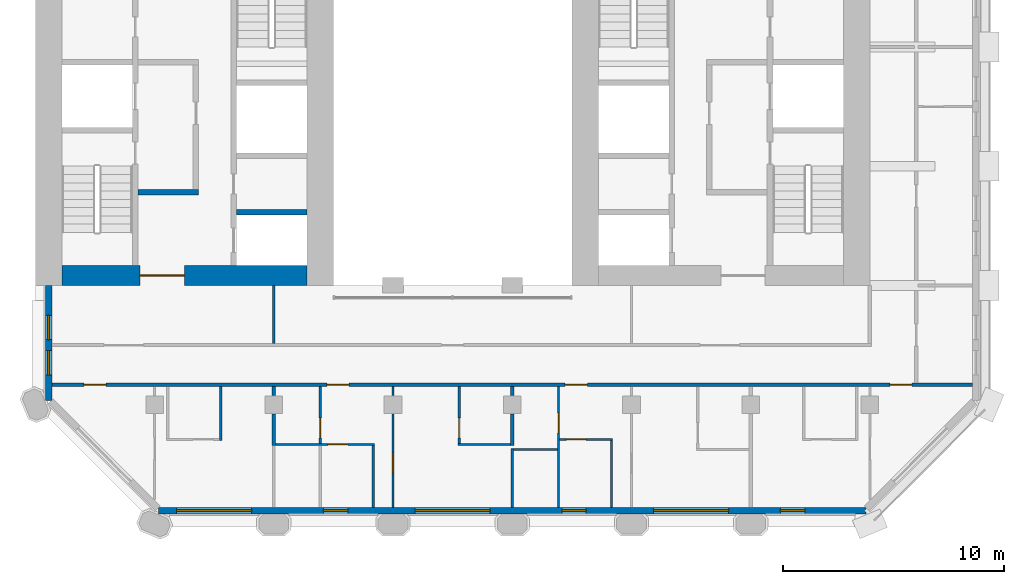
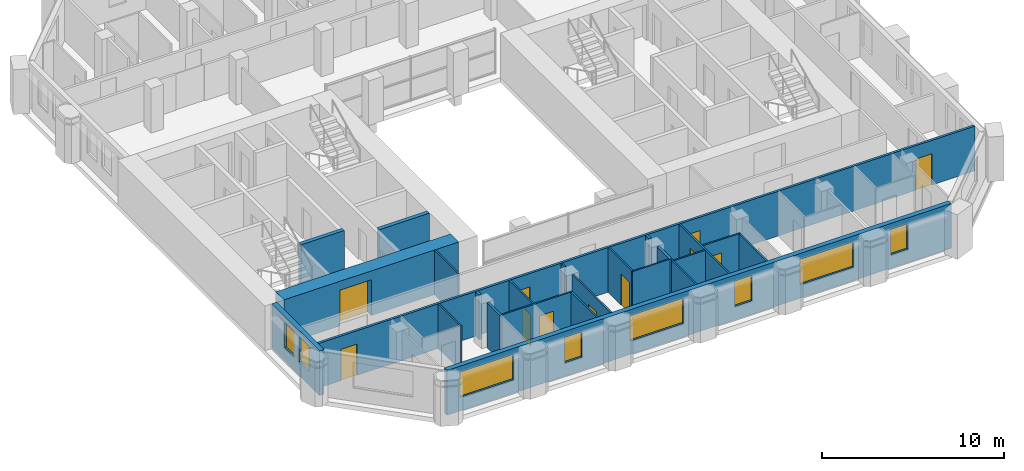
# One storey, part 4 of 12: 24 walls, 11 doors, 8 windows, 19 openings.
"""IFC4 building model written with IfcOpenShell, lengths in metres."""

import ifcopenshell
import ifcopenshell.guid

model = None  # the IFC model being written
_history = None  # IfcOwnerHistory: only IFC2X3 demands one
_inside = {}  # id of a spatial element -> (the spatial element, [elements in it])
_under = {}  # id of a project, library or spatial element -> (it, [spatial elements below it])
_declared = {}  # id of a project -> (the project, [libraries it declares])
_typed = {}  # id of a type object -> (the type object, [elements of that type])
_made_of = {}  # id of a material, layer set ... -> (it, [elements and type objects made of it])


def new_model(schema):
    """Start an empty IFC model of exactly this schema.

    Asked for "IFC4X3", IfcOpenShell would pick the latest addendum, in which some entities
    have other attributes; the version numbers below select the first issue.
    IFC2X3 requires an IfcOwnerHistory on every rooted entity: one is made here for all.
    """
    global model, _history
    if schema == "IFC4X3":
        model = ifcopenshell.file(schema_version=(4, 3, 0, 0))
    else:
        model = ifcopenshell.file(schema=schema)
    _inside.clear()
    _under.clear()
    _declared.clear()
    _typed.clear()
    _made_of.clear()
    _history = None
    if model.schema == "IFC2X3":
        org = make("IfcOrganization", Name="unknown")
        user = make(
            "IfcPersonAndOrganization",
            ThePerson=make("IfcPerson", FamilyName="unknown"),
            TheOrganization=org,
        )
        app = make(
            "IfcApplication",
            ApplicationDeveloper=org,
            Version="unknown",
            ApplicationFullName="unknown",
            ApplicationIdentifier="unknown",
        )
        _history = make(
            "IfcOwnerHistory",
            OwningUser=user,
            OwningApplication=app,
            ChangeAction="ADDED",
            CreationDate=0,
        )
    return model


def make(cls, **values):
    """One entity of the class cls with the attributes given. An attribute that is None is left unset."""
    return model.create_entity(
        cls, **{name: value for name, value in values.items() if value is not None}
    )


def rooted(cls, **values):
    """An entity with a GlobalId (a new one), such as an element, a storey or a relation."""
    return make(cls, GlobalId=ifcopenshell.guid.new(), OwnerHistory=_history, **values)


def si_unit(unit_type, name, prefix=None):
    """IfcSIUnit, for example si_unit("LENGTHUNIT", "METRE", prefix="MILLI")."""
    return make("IfcSIUnit", UnitType=unit_type, Prefix=prefix, Name=name)


def assignment(units):
    """IfcUnitAssignment: the units of a project."""
    return None if units is None else make("IfcUnitAssignment", Units=units)


def point(xyz):
    """IfcCartesianPoint."""
    return None if xyz is None else make("IfcCartesianPoint", Coordinates=xyz)


def direction(xyz):
    """IfcDirection."""
    return None if xyz is None else make("IfcDirection", DirectionRatios=xyz)


def frame(location, z_axis=None, x_axis=None):
    """IfcAxis2Placement3D, a coordinate frame: its origin and axes. An axis left out is left unset."""
    return make(
        "IfcAxis2Placement3D",
        Location=point(location),
        Axis=direction(z_axis),
        RefDirection=direction(x_axis),
    )


def frame_2d(location, x_axis=None):
    """IfcAxis2Placement2D, a coordinate frame in the plane: its origin and x axis."""
    return make(
        "IfcAxis2Placement2D", Location=point(location), RefDirection=direction(x_axis)
    )


def origin():
    """The frame at (0, 0, 0) with its axes left unset."""
    return frame((0.0, 0.0, 0.0))


def place(relative_to, where):
    """IfcLocalPlacement: puts the frame where relative to a parent placement (None: the world)."""
    return make(
        "IfcLocalPlacement", PlacementRelTo=relative_to, RelativePlacement=where
    )


def context(
    kind, dimensions, precision=None, world=None, true_north=None, identifier=None
):
    """IfcGeometricRepresentationContext, for example the 3D "Model" context."""
    return make(
        "IfcGeometricRepresentationContext",
        ContextIdentifier=identifier,
        ContextType=kind,
        CoordinateSpaceDimension=dimensions,
        Precision=precision,
        WorldCoordinateSystem=world,
        TrueNorth=true_north,
    )


def subcontext(parent, identifier, kind, view, scale=None):
    """IfcGeometricRepresentationSubContext, for example "Body" below "Model"."""
    return make(
        "IfcGeometricRepresentationSubContext",
        ContextIdentifier=identifier,
        ContextType=kind,
        ParentContext=parent,
        TargetScale=scale,
        TargetView=view,
    )


def project(units=None, contexts=None):
    """IfcProject with its units and contexts."""
    return rooted(
        "IfcProject",
        Name="project",
        RepresentationContexts=contexts,
        UnitsInContext=assignment(units),
    )


def spatial(cls, under=None, at=None, **own):
    """A site, building, storey or space (cls), placed at a placement, below another one or the project."""
    s = rooted(cls, ObjectPlacement=at, **own)
    if under is not None:
        _under.setdefault(under.id(), (under, []))[1].append(s)
    return s


def profile(cls, at=None, kind="AREA", **sizes):
    """A parametric profile (cls). Its sizes go by their IFC names, for example OverallWidth=200.0."""
    return make(cls, ProfileType=kind, Position=at, **sizes)


def rectangle(**sizes):
    """IfcRectangleProfileDef."""
    return profile("IfcRectangleProfileDef", **sizes)


def extrude(swept, where, along, depth):
    """IfcExtrudedAreaSolid: the profile swept, set in the frame where, extruded along a direction by depth."""
    return make(
        "IfcExtrudedAreaSolid",
        SweptArea=swept,
        Position=where,
        ExtrudedDirection=direction(along),
        Depth=depth,
    )


def shape(context_of_items, identifier, shape_type, items):
    """IfcShapeRepresentation: the items that make up one representation, for example the "Body"."""
    return make(
        "IfcShapeRepresentation",
        ContextOfItems=context_of_items,
        RepresentationIdentifier=identifier,
        RepresentationType=shape_type,
        Items=items,
    )


def material(Name=None, Category=None):
    """IfcMaterial."""
    return make("IfcMaterial", Name=Name, Category=Category)


def layer(
    of_material, thickness, ventilated=None, Name=None, Category=None, Priority=None
):
    """IfcMaterialLayer: one layer of a wall or slab, of a material (None: an air gap)."""
    return make(
        "IfcMaterialLayer",
        Material=of_material,
        LayerThickness=thickness,
        IsVentilated=ventilated,
        Name=Name,
        Category=Category,
        Priority=Priority,
    )


def layer_set(layers, Name=None):
    """IfcMaterialLayerSet."""
    return make("IfcMaterialLayerSet", MaterialLayers=layers, LayerSetName=Name)


def made_of(thing, what):
    """Note that an element or type object is made of a material, layer set ...; save() writes the relation."""
    if what is not None:
        _made_of.setdefault(what.id(), (what, []))[1].append(thing)
    return thing


def type_object(cls, material=None, **own):
    """A type object (cls), such as IfcWallType, which elements share."""
    return made_of(rooted(cls, **own), material)


def element(
    cls,
    number,
    at=None,
    inside=None,
    cuts=None,
    type_object=None,
    material=None,
    context=None,
    identifier="Body",
    shape_type=None,
    held_by="IfcProductDefinitionShape",
    body=None,
    shapes=None,
    **own,
):
    """One element of the class cls, such as IfcWall. Its Tag is "e" and its number.

    at: its placement. inside: the storey or other place that contains it. cuts: it is an
    opening in that element (IfcRelVoidsElement). A single representation is given by context,
    identifier, shape_type and body (its items); several are given by shapes. held_by: the class
    of the entity that holds the representations. save() writes the other relations.
    """
    e = rooted(cls, Tag="e%d" % number, ObjectPlacement=at, **own)
    if body is not None:
        shapes = [shape(context, identifier, shape_type, body)]
    if shapes is not None:
        e.Representation = make(held_by, Representations=shapes)
    if inside is not None:
        _inside.setdefault(inside.id(), (inside, []))[1].append(e)
    if cuts is not None:
        rooted(
            "IfcRelVoidsElement", RelatingBuildingElement=cuts, RelatedOpeningElement=e
        )
    if type_object is not None:
        _typed.setdefault(type_object.id(), (type_object, []))[1].append(e)
    return made_of(e, material)


def fill(opening, filler):
    """IfcRelFillsElement: the door or window that sits in an opening."""
    return rooted(
        "IfcRelFillsElement",
        RelatingOpeningElement=opening,
        RelatedBuildingElement=filler,
    )


def aggregate(whole, parts):
    """IfcRelAggregates: a whole, such as a stair, and the parts it consists of."""
    return rooted("IfcRelAggregates", RelatingObject=whole, RelatedObjects=parts)


def save(model, path):
    """Write the relations noted so far, then the file.

    IfcRelAggregates (storeys below a building ...), IfcRelContainedInSpatialStructure (elements
    in a storey), IfcRelDefinesByType, IfcRelAssociatesMaterial and IfcRelDeclares: one each for
    every whole, place, type object, material and project.
    """
    for whole, parts in _under.values():
        aggregate(whole, parts)
    for where, things in _inside.values():
        rooted(
            "IfcRelContainedInSpatialStructure",
            RelatedElements=things,
            RelatingStructure=where,
        )
    for kind, things in _typed.values():
        rooted("IfcRelDefinesByType", RelatedObjects=things, RelatingType=kind)
    for what, things in _made_of.values():
        rooted("IfcRelAssociatesMaterial", RelatedObjects=things, RelatingMaterial=what)
    for by, libraries in _declared.values():
        rooted("IfcRelDeclares", RelatingContext=by, RelatedDefinitions=libraries)
    model.write(path)


model = new_model("IFC4")

# Units and contexts
model_context = context("Model", 3, precision=1e-05, world=origin(), true_north=direction((0.0, 1.0)))
body_context = subcontext(model_context, "Body", "Model", "MODEL_VIEW")
ifc_project = project(units=[si_unit("LENGTHUNIT", "METRE"), si_unit("AREAUNIT", "SQUARE_METRE"), si_unit("VOLUMEUNIT", "CUBIC_METRE"), si_unit("PLANEANGLEUNIT", "RADIAN"), si_unit("MASSUNIT", "GRAM", prefix="KILO")], contexts=[model_context])

# Site, building, storey
site_placement = place(None, origin())
site = spatial("IfcSite", under=ifc_project, at=site_placement, CompositionType="ELEMENT")
building_placement = place(site_placement, origin())
building = spatial("IfcBuilding", under=site, at=building_placement, Name="Tabaq Tower and Sports Hall", CompositionType="ELEMENT")
storey_placement = place(building_placement, frame((0.0, 0.0, 187.300048828125)))
storey = spatial("IfcBuildingStorey", under=building, at=storey_placement, Name="L45", CompositionType="ELEMENT", Elevation=187.300048828125)

# Wall, opening, door
ifc_material_1 = material(Name="Concrete C50/60", Category="concrete")
ifc_layer_1 = layer(ifc_material_1, 0.89990234375)
ifc_layer_set_1 = layer_set([ifc_layer_1], Name="Core wall 900 Concrete C50/60")
wall_type_1 = type_object("IfcWallType", Name="Core wall 900 Concrete C50/60", PredefinedType="SOLIDWALL", material=ifc_layer_set_1)
wall_1_placement = place(storey_placement, frame((17.699951171875, 16.64990234375, 0.0), z_axis=(0.0, 0.0, 1.0), x_axis=(-1.0, 0.0, 0.0)))
wall_1 = element("IfcWall", 1, at=wall_1_placement, inside=storey, type_object=wall_type_1, Name="Core wall W L45", PredefinedType="SOLIDWALL", context=body_context, shape_type="SweptSolid", body=[
    extrude(rectangle(XDim=11.099853515625, YDim=0.89990234375, at=frame_2d((5.5498046875, 0.0))), origin(), (0.0, 0.0, 1.0), 3.0),
])
opening_1_placement = place(wall_1_placement, frame((5.550048828125, 0.0, 0.0)))
opening_1 = element("IfcOpeningElement", 2, at=opening_1_placement, cuts=wall_1, Name="Opening PD-WL45-01", PredefinedType="OPENING", context=body_context, shape_type="SweptSolid", body=[
    extrude(rectangle(XDim=2.0, YDim=2.39990234375, at=frame_2d((1.0, 1.199951171875))), frame((0.0, 0.449951171875, 0.0), z_axis=(0.0, -1.0, 0.0), x_axis=(1.0, 0.0, 0.0)), (0.0, 0.0, 1.0), 0.89990234375),
])
ifc_material_2 = material(Name="Steel fire door", Category="steel")
door_type_1 = type_object("IfcDoorType", Name="Core entrance door 2000", OperationType="DOUBLE_DOOR_SINGLE_SWING", PredefinedType="DOOR", material=ifc_material_2)
door_1_placement = place(opening_1_placement, origin())
door_1 = element("IfcDoor", 3, at=door_1_placement, inside=storey, type_object=door_type_1, Name="Core entrance south W L45", OperationType="DOUBLE_DOOR_SINGLE_SWING", OverallHeight=2.39990234375, OverallWidth=2.0, PredefinedType="DOOR", context=body_context, shape_type="SweptSolid", body=[
    extrude(rectangle(XDim=2.0, YDim=2.39990234375, at=frame_2d((1.0, 1.199951171875))), frame((0.0, 0.02490234375, 0.0), z_axis=(0.0, -1.0, 0.0), x_axis=(1.0, 0.0, 0.0)), (0.0, 0.0, 1.0), 0.050048828125),
])
fill(opening_1, door_1)

# Walls
ifc_material_3 = material(Name="Gypsum board on steel studs", Category="steel")
ifc_layer_2 = layer(ifc_material_3, 0.10009765625)
ifc_layer_set_2 = layer_set([ifc_layer_2], Name="Partition 100 Gypsum board")
wall_type_2 = type_object("IfcWallType", Name="Partition 100 Gypsum board", PredefinedType="PARTITIONING", material=ifc_layer_set_2)
wall_2_placement = place(storey_placement, frame((13.800048828125, 11.625, 0.0), z_axis=(0.0, 0.0, 1.0), x_axis=(0.0, -1.0, 0.0)))
element("IfcWall", 4, at=wall_2_placement, inside=storey, type_object=wall_type_2, Name="Partition wall L45", PredefinedType="PARTITIONING", context=body_context, shape_type="SweptSolid", body=[
    extrude(rectangle(XDim=2.449951171875, YDim=0.10009765625, at=frame_2d((1.22509765625, 0.0))), origin(), (0.0, 0.0, 1.0), 3.0),
])
wall_3_placement = place(storey_placement, frame((27.0, 6.15087890625, 0.0), z_axis=(0.0, 0.0, 1.0), x_axis=(0.0, 1.0, 0.0)))
element("IfcWall", 5, at=wall_3_placement, inside=storey, type_object=wall_type_2, Name="Partition wall L45", PredefinedType="PARTITIONING", context=body_context, shape_type="SweptSolid", body=[
    extrude(rectangle(XDim=2.674072265625, YDim=0.10009765625, at=frame_2d((1.3369140625, 0.0))), origin(), (0.0, 0.0, 1.0), 3.0),
])
wall_4_placement = place(storey_placement, frame((26.925048828125, 9.0, 0.0), z_axis=(0.0, 0.0, 1.0), x_axis=(-1.0, 0.0, 0.0)))
element("IfcWall", 6, at=wall_4_placement, inside=storey, type_object=wall_type_2, Name="Partition wall L45", PredefinedType="PARTITIONING", context=body_context, shape_type="SweptSolid", body=[
    extrude(rectangle(XDim=2.375, YDim=0.10009765625, at=frame_2d((1.1875, 0.0))), origin(), (0.0, 0.0, 1.0), 3.0),
])

# Wall, opening, door
wall_5_placement = place(storey_placement, frame((24.60009765625, 9.050048828125, 0.0), z_axis=(0.0, 0.0, 1.0), x_axis=(0.0, 1.0, 0.0)))
wall_5 = element("IfcWall", 7, at=wall_5_placement, inside=storey, type_object=wall_type_2, Name="Partition wall L45", PredefinedType="PARTITIONING", context=body_context, shape_type="SweptSolid", body=[
    extrude(rectangle(XDim=2.574951171875, YDim=0.10009765625, at=frame_2d((1.28759765625, 0.0))), origin(), (0.0, 0.0, 1.0), 3.0),
])
opening_2_placement = place(wall_5_placement, frame((0.25, 0.0, 0.0)))
opening_2 = element("IfcOpeningElement", 8, at=opening_2_placement, cuts=wall_5, Name="Opening L45-013", PredefinedType="OPENING", context=body_context, shape_type="SweptSolid", body=[
    extrude(rectangle(XDim=0.89990234375, YDim=2.10009765625, at=frame_2d((0.449951171875, 1.050048828125))), frame((0.0, 0.050048828125, 0.0), z_axis=(0.0, -1.0, 0.0), x_axis=(1.0, 0.0, 0.0)), (0.0, 0.0, 1.0), 0.10009765625),
])
ifc_material_4 = material(Name="Timber leaf in steel frame", Category="steel")
door_type_2 = type_object("IfcDoorType", Name="Internal door 900 left hand", OperationType="SINGLE_SWING_LEFT", PredefinedType="DOOR", material=ifc_material_4)
door_2_placement = place(opening_2_placement, origin())
door_2 = element("IfcDoor", 9, at=door_2_placement, inside=storey, type_object=door_type_2, Name="Internal door L45-013", OperationType="SINGLE_SWING_LEFT", OverallHeight=2.10009765625, OverallWidth=0.89990234375, PredefinedType="DOOR", context=body_context, shape_type="SweptSolid", body=[
    extrude(rectangle(XDim=0.89990234375, YDim=2.10009765625, at=frame_2d((0.449951171875, 1.050048828125))), frame((0.0, 0.02490234375, 0.0), z_axis=(0.0, -1.0, 0.0), x_axis=(1.0, 0.0, 0.0)), (0.0, 0.0, 1.0), 0.050048828125),
])
fill(opening_2, door_2)

# Wall
wall_6_placement = place(storey_placement, frame((21.60009765625, 11.625, 0.0), z_axis=(0.0, 0.0, 1.0), x_axis=(0.0, -1.0, 0.0)))
element("IfcWall", 10, at=wall_6_placement, inside=storey, type_object=wall_type_2, Name="Partition wall L45", PredefinedType="PARTITIONING", context=body_context, shape_type="SweptSolid", body=[
    extrude(rectangle(XDim=0.405029296875, YDim=0.10009765625, at=frame_2d((0.20263671875, 0.0))), origin(), (0.0, 0.0, 1.0), 3.0),
])

# Wall, opening, door
wall_7_placement = place(storey_placement, frame((21.60009765625, 10.3798828125, 0.0), z_axis=(0.0, 0.0, 1.0), x_axis=(0.0, -1.0, 0.0)))
wall_7 = element("IfcWall", 11, at=wall_7_placement, inside=storey, type_object=wall_type_2, Name="Partition wall L45", PredefinedType="PARTITIONING", context=body_context, shape_type="SweptSolid", body=[
    extrude(rectangle(XDim=4.22900390625, YDim=0.10009765625, at=frame_2d((2.114501953125, 0.0))), origin(), (0.0, 0.0, 1.0), 3.0),
])
opening_3_placement = place(wall_7_placement, frame((1.780029296875, 0.0, 0.0)))
opening_3 = element("IfcOpeningElement", 12, at=opening_3_placement, cuts=wall_7, Name="Opening L45-035", PredefinedType="OPENING", context=body_context, shape_type="SweptSolid", body=[
    extrude(rectangle(XDim=0.89990234375, YDim=2.10009765625, at=frame_2d((0.449951171875, 1.050048828125))), frame((0.0, 0.050048828125, 0.0), z_axis=(0.0, -1.0, 0.0), x_axis=(1.0, 0.0, 0.0)), (0.0, 0.0, 1.0), 0.10009765625),
])
ifc_material_5 = material(Name="Timber leaf in steel frame", Category="steel")
door_type_3 = type_object("IfcDoorType", Name="Internal door 900 right hand", OperationType="SINGLE_SWING_RIGHT", PredefinedType="DOOR", material=ifc_material_5)
door_3_placement = place(opening_3_placement, origin())
door_3 = element("IfcDoor", 13, at=door_3_placement, inside=storey, type_object=door_type_3, Name="Internal door L45-035", OperationType="SINGLE_SWING_RIGHT", OverallHeight=2.10009765625, OverallWidth=0.89990234375, PredefinedType="DOOR", context=body_context, shape_type="SweptSolid", body=[
    extrude(rectangle(XDim=0.89990234375, YDim=2.10009765625, at=frame_2d((0.449951171875, 1.050048828125))), frame((0.0, 0.02490234375, 0.0), z_axis=(0.0, -1.0, 0.0), x_axis=(1.0, 0.0, 0.0)), (0.0, 0.0, 1.0), 0.050048828125),
])
fill(opening_3, door_3)

wall_8_placement = place(storey_placement, frame((18.300048828125, 9.050048828125, 0.0), z_axis=(0.0, 0.0, 1.0), x_axis=(0.0, 1.0, 0.0)))
wall_8 = element("IfcWall", 14, at=wall_8_placement, inside=storey, type_object=wall_type_2, Name="Partition wall L45", PredefinedType="PARTITIONING", context=body_context, shape_type="SweptSolid", body=[
    extrude(rectangle(XDim=2.574951171875, YDim=0.10009765625, at=frame_2d((1.28759765625, 0.0))), origin(), (0.0, 0.0, 1.0), 3.0),
])
opening_4_placement = place(wall_8_placement, frame((0.25, 0.0, 0.0)))
opening_4 = element("IfcOpeningElement", 15, at=opening_4_placement, cuts=wall_8, Name="Opening L45-014", PredefinedType="OPENING", context=body_context, shape_type="SweptSolid", body=[
    extrude(rectangle(XDim=0.89990234375, YDim=2.10009765625, at=frame_2d((0.449951171875, 1.050048828125))), frame((0.0, 0.050048828125, 0.0), z_axis=(0.0, -1.0, 0.0), x_axis=(1.0, 0.0, 0.0)), (0.0, 0.0, 1.0), 0.10009765625),
])
door_4_placement = place(opening_4_placement, origin())
door_4 = element("IfcDoor", 16, at=door_4_placement, inside=storey, type_object=door_type_3, Name="Internal door L45-014", OperationType="SINGLE_SWING_RIGHT", OverallHeight=2.10009765625, OverallWidth=0.89990234375, PredefinedType="DOOR", context=body_context, shape_type="SweptSolid", body=[
    extrude(rectangle(XDim=0.89990234375, YDim=2.10009765625, at=frame_2d((0.449951171875, 1.050048828125))), frame((0.0, 0.02490234375, 0.0), z_axis=(0.0, -1.0, 0.0), x_axis=(1.0, 0.0, 0.0)), (0.0, 0.0, 1.0), 0.050048828125),
])
fill(opening_4, door_4)

wall_9_placement = place(storey_placement, frame((16.27490234375, 9.0, 0.0), z_axis=(0.0, 0.0, 1.0), x_axis=(1.0, 0.0, 0.0)))
wall_9 = element("IfcWall", 17, at=wall_9_placement, inside=storey, type_object=wall_type_2, Name="Partition wall L45", PredefinedType="PARTITIONING", context=body_context, shape_type="SweptSolid", body=[
    extrude(rectangle(XDim=4.47509765625, YDim=0.10009765625, at=frame_2d((2.237548828125, 0.0))), origin(), (0.0, 0.0, 1.0), 3.0),
])
opening_5_placement = place(wall_9_placement, frame((2.375, 0.0, 0.0)))
opening_5 = element("IfcOpeningElement", 18, at=opening_5_placement, cuts=wall_9, Name="Opening L45-015", PredefinedType="OPENING", context=body_context, shape_type="SweptSolid", body=[
    extrude(rectangle(XDim=0.89990234375, YDim=2.10009765625, at=frame_2d((0.449951171875, 1.050048828125))), frame((0.0, 0.050048828125, 0.0), z_axis=(0.0, -1.0, 0.0), x_axis=(1.0, 0.0, 0.0)), (0.0, 0.0, 1.0), 0.10009765625),
])
door_5_placement = place(opening_5_placement, origin())
door_5 = element("IfcDoor", 19, at=door_5_placement, inside=storey, type_object=door_type_2, Name="Internal door L45-015", OperationType="SINGLE_SWING_LEFT", OverallHeight=2.10009765625, OverallWidth=0.89990234375, PredefinedType="DOOR", context=body_context, shape_type="SweptSolid", body=[
    extrude(rectangle(XDim=0.89990234375, YDim=2.10009765625, at=frame_2d((0.449951171875, 1.050048828125))), frame((0.0, 0.02490234375, 0.0), z_axis=(0.0, -1.0, 0.0), x_axis=(1.0, 0.0, 0.0)), (0.0, 0.0, 1.0), 0.050048828125),
])
fill(opening_5, door_5)

# Walls
wall_10_placement = place(storey_placement, frame((20.699951171875, 8.949951171875, 0.0), z_axis=(0.0, 0.0, 1.0), x_axis=(0.0, -1.0, 0.0)))
element("IfcWall", 20, at=wall_10_placement, inside=storey, type_object=wall_type_2, Name="Partition wall L45", PredefinedType="PARTITIONING", context=body_context, shape_type="SweptSolid", body=[
    extrude(rectangle(XDim=2.799072265625, YDim=0.10009765625, at=frame_2d((1.3994140625, 0.0))), origin(), (0.0, 0.0, 1.0), 3.0),
])
wall_11_placement = place(storey_placement, frame((27.050048828125, 8.77490234375, 0.0), z_axis=(0.0, 0.0, 1.0), x_axis=(1.0, 0.0, 0.0)))
element("IfcWall", 21, at=wall_11_placement, inside=storey, type_object=wall_type_2, Name="Partition wall L45", PredefinedType="PARTITIONING", context=body_context, shape_type="SweptSolid", body=[
    extrude(rectangle(XDim=2.0, YDim=0.10009765625, at=frame_2d((1.0, 0.0))), origin(), (0.0, 0.0, 1.0), 3.0),
])

# Wall, opening, door
wall_12_placement = place(storey_placement, frame((29.10009765625, 6.15087890625, 0.0), z_axis=(0.0, 0.0, 1.0), x_axis=(0.0, 1.0, 0.0)))
wall_12 = element("IfcWall", 22, at=wall_12_placement, inside=storey, type_object=wall_type_2, Name="Partition wall L45", PredefinedType="PARTITIONING", context=body_context, shape_type="SweptSolid", body=[
    extrude(rectangle(XDim=5.47412109375, YDim=0.10009765625, at=frame_2d((2.737060546875, 0.0))), origin(), (0.0, 0.0, 1.0), 3.0),
])
opening_6_placement = place(wall_12_placement, frame((3.3740234375, 0.0, 0.0)))
opening_6 = element("IfcOpeningElement", 23, at=opening_6_placement, cuts=wall_12, Name="Opening L45-017", PredefinedType="OPENING", context=body_context, shape_type="SweptSolid", body=[
    extrude(rectangle(XDim=0.89990234375, YDim=2.10009765625, at=frame_2d((0.449951171875, 1.050048828125))), frame((0.0, 0.050048828125, 0.0), z_axis=(0.0, -1.0, 0.0), x_axis=(1.0, 0.0, 0.0)), (0.0, 0.0, 1.0), 0.10009765625),
])
door_6_placement = place(opening_6_placement, origin())
door_6 = element("IfcDoor", 24, at=door_6_placement, inside=storey, type_object=door_type_2, Name="Internal door L45-017", OperationType="SINGLE_SWING_LEFT", OverallHeight=2.10009765625, OverallWidth=0.89990234375, PredefinedType="DOOR", context=body_context, shape_type="SweptSolid", body=[
    extrude(rectangle(XDim=0.89990234375, YDim=2.10009765625, at=frame_2d((0.449951171875, 1.050048828125))), frame((0.0, 0.02490234375, 0.0), z_axis=(0.0, -1.0, 0.0), x_axis=(1.0, 0.0, 0.0)), (0.0, 0.0, 1.0), 0.050048828125),
])
fill(opening_6, door_6)

wall_13_placement = place(storey_placement, frame((29.14990234375, 9.22509765625, 0.0), z_axis=(0.0, 0.0, 1.0), x_axis=(1.0, 0.0, 0.0)))
wall_13 = element("IfcWall", 25, at=wall_13_placement, inside=storey, type_object=wall_type_2, Name="Partition wall L45", PredefinedType="PARTITIONING", context=body_context, shape_type="SweptSolid", body=[
    extrude(rectangle(XDim=2.400146484375, YDim=0.10009765625, at=frame_2d((1.2001953125, 0.0))), origin(), (0.0, 0.0, 1.0), 3.0),
])
opening_7_placement = place(wall_13_placement, frame((0.300048828125, 0.0, 0.0)))
opening_7 = element("IfcOpeningElement", 26, at=opening_7_placement, cuts=wall_13, Name="Opening L45-018", PredefinedType="OPENING", context=body_context, shape_type="SweptSolid", body=[
    extrude(rectangle(XDim=0.89990234375, YDim=2.10009765625, at=frame_2d((0.449951171875, 1.050048828125))), frame((0.0, 0.050048828125, 0.0), z_axis=(0.0, -1.0, 0.0), x_axis=(1.0, 0.0, 0.0)), (0.0, 0.0, 1.0), 0.10009765625),
])
door_7_placement = place(opening_7_placement, origin())
door_7 = element("IfcDoor", 27, at=door_7_placement, inside=storey, type_object=door_type_3, Name="Internal door L45-018", OperationType="SINGLE_SWING_RIGHT", OverallHeight=2.10009765625, OverallWidth=0.89990234375, PredefinedType="DOOR", context=body_context, shape_type="SweptSolid", body=[
    extrude(rectangle(XDim=0.89990234375, YDim=2.10009765625, at=frame_2d((0.449951171875, 1.050048828125))), frame((0.0, 0.02490234375, 0.0), z_axis=(0.0, -1.0, 0.0), x_axis=(1.0, 0.0, 0.0)), (0.0, 0.0, 1.0), 0.050048828125),
])
fill(opening_7, door_7)

# Walls
wall_14_placement = place(storey_placement, frame((31.5, 9.175048828125, 0.0), z_axis=(0.0, 0.0, 1.0), x_axis=(0.0, -1.0, 0.0)))
element("IfcWall", 28, at=wall_14_placement, inside=storey, type_object=wall_type_2, Name="Partition wall L45", PredefinedType="PARTITIONING", context=body_context, shape_type="SweptSolid", body=[
    extrude(rectangle(XDim=3.024169921875, YDim=0.10009765625, at=frame_2d((1.51220703125, 0.0))), origin(), (0.0, 0.0, 1.0), 3.0),
])
wall_15_placement = place(storey_placement, frame((16.199951171875, 16.199951171875, 0.0), z_axis=(0.0, 0.0, 1.0), x_axis=(0.0, -1.0, 0.0)))
element("IfcWall", 29, at=wall_15_placement, inside=storey, type_object=wall_type_2, Name="Partition wall L45", PredefinedType="PARTITIONING", context=body_context, shape_type="SweptSolid", body=[
    extrude(rectangle(XDim=2.625, YDim=0.10009765625, at=frame_2d((1.3125, 0.0))), origin(), (0.0, 0.0, 1.0), 3.0),
])
ifc_material_6 = material(Name="Blockwork", Category="masonry")
ifc_layer_3 = layer(ifc_material_6, 0.14990234375)
ifc_layer_set_3 = layer_set([ifc_layer_3], Name="Separating wall 150 Blockwork")
wall_type_3 = type_object("IfcWallType", Name="Separating wall 150 Blockwork", PredefinedType="PARTITIONING", material=ifc_layer_set_3)
wall_16_placement = place(storey_placement, frame((16.199951171875, 8.949951171875, 0.0), z_axis=(0.0, 0.0, 1.0), x_axis=(0.0, 1.0, 0.0)))
element("IfcWall", 30, at=wall_16_placement, inside=storey, type_object=wall_type_3, Name="Separating wall L45", PredefinedType="PARTITIONING", context=body_context, shape_type="SweptSolid", body=[
    extrude(rectangle(XDim=1.429931640625, YDim=0.14990234375, at=frame_2d((0.71484375, 0.0))), origin(), (0.0, 0.0, 1.0), 3.0),
])
wall_17_placement = place(storey_placement, frame((16.199951171875, 11.219970703125, 0.0), z_axis=(0.0, 0.0, 1.0), x_axis=(0.0, 1.0, 0.0)))
element("IfcWall", 31, at=wall_17_placement, inside=storey, type_object=wall_type_3, Name="Separating wall L45", PredefinedType="PARTITIONING", context=body_context, shape_type="SweptSolid", body=[
    extrude(rectangle(XDim=0.405029296875, YDim=0.14990234375, at=frame_2d((0.20263671875, 0.0))), origin(), (0.0, 0.0, 1.0), 3.0),
])
wall_18_placement = place(storey_placement, frame((27.0, 8.949951171875, 0.0), z_axis=(0.0, 0.0, 1.0), x_axis=(0.0, 1.0, 0.0)))
element("IfcWall", 32, at=wall_18_placement, inside=storey, type_object=wall_type_3, Name="Separating wall L45", PredefinedType="PARTITIONING", context=body_context, shape_type="SweptSolid", body=[
    extrude(rectangle(XDim=1.429931640625, YDim=0.14990234375, at=frame_2d((0.71484375, 0.0))), origin(), (0.0, 0.0, 1.0), 3.0),
])
wall_19_placement = place(storey_placement, frame((27.0, 11.219970703125, 0.0), z_axis=(0.0, 0.0, 1.0), x_axis=(0.0, 1.0, 0.0)))
element("IfcWall", 33, at=wall_19_placement, inside=storey, type_object=wall_type_3, Name="Separating wall L45", PredefinedType="PARTITIONING", context=body_context, shape_type="SweptSolid", body=[
    extrude(rectangle(XDim=0.405029296875, YDim=0.14990234375, at=frame_2d((0.20263671875, 0.0))), origin(), (0.0, 0.0, 1.0), 3.0),
])

# Wall, openings, doors
wall_20_placement = place(storey_placement, frame((6.15087890625, 11.699951171875, 0.0), z_axis=(0.0, 0.0, 1.0), x_axis=(1.0, 0.0, 0.0)))
wall_20 = element("IfcWall", 34, at=wall_20_placement, inside=storey, type_object=wall_type_3, Name="Separating wall L45", PredefinedType="PARTITIONING", context=body_context, shape_type="SweptSolid", body=[
    extrude(rectangle(XDim=41.6982421875, YDim=0.14990234375, at=frame_2d((20.84912109375, 0.0))), origin(), (0.0, 0.0, 1.0), 3.0),
])
opening_8_placement = place(wall_20_placement, frame((1.448974609375, 0.0, 0.0)))
opening_8 = element("IfcOpeningElement", 35, at=opening_8_placement, cuts=wall_20, Name="Opening L45-034", PredefinedType="OPENING", context=body_context, shape_type="SweptSolid", body=[
    extrude(rectangle(XDim=1.0, YDim=2.10009765625, at=frame_2d((0.5, 1.050048828125))), frame((0.0, 0.074951171875, 0.0), z_axis=(0.0, -1.0, 0.0), x_axis=(1.0, 0.0, 0.0)), (0.0, 0.0, 1.0), 0.14990234375),
])
opening_9_placement = place(wall_20_placement, frame((37.9541015625, 0.0, 0.0)))
opening_9 = element("IfcOpeningElement", 36, at=opening_9_placement, cuts=wall_20, Name="Opening L45-038", PredefinedType="OPENING", context=body_context, shape_type="SweptSolid", body=[
    extrude(rectangle(XDim=1.0, YDim=2.10009765625, at=frame_2d((0.5, 1.050048828125))), frame((0.0, 0.074951171875, 0.0), z_axis=(0.0, -1.0, 0.0), x_axis=(1.0, 0.0, 0.0)), (0.0, 0.0, 1.0), 0.14990234375),
])
opening_10_placement = place(wall_20_placement, frame((12.448974609375, 0.0, 0.0)))
opening_10 = element("IfcOpeningElement", 37, at=opening_10_placement, cuts=wall_20, Name="Opening L45-042", PredefinedType="OPENING", context=body_context, shape_type="SweptSolid", body=[
    extrude(rectangle(XDim=1.0, YDim=2.10009765625, at=frame_2d((0.5, 1.050048828125))), frame((0.0, 0.074951171875, 0.0), z_axis=(0.0, -1.0, 0.0), x_axis=(1.0, 0.0, 0.0)), (0.0, 0.0, 1.0), 0.14990234375),
])
opening_11_placement = place(wall_20_placement, frame((23.2490234375, 0.0, 0.0)))
opening_11 = element("IfcOpeningElement", 38, at=opening_11_placement, cuts=wall_20, Name="Opening L45-043", PredefinedType="OPENING", context=body_context, shape_type="SweptSolid", body=[
    extrude(rectangle(XDim=1.0, YDim=2.10009765625, at=frame_2d((0.5, 1.050048828125))), frame((0.0, 0.074951171875, 0.0), z_axis=(0.0, -1.0, 0.0), x_axis=(1.0, 0.0, 0.0)), (0.0, 0.0, 1.0), 0.14990234375),
])
ifc_material_7 = material(Name="Steel fire door", Category="steel")
door_type_4 = type_object("IfcDoorType", Name="Entrance door 1000 left hand", OperationType="SINGLE_SWING_LEFT", PredefinedType="DOOR", material=ifc_material_7)
door_8_placement = place(opening_8_placement, origin())
door_8 = element("IfcDoor", 39, at=door_8_placement, inside=storey, type_object=door_type_4, Name="Entrance door L45-034", OperationType="SINGLE_SWING_LEFT", OverallHeight=2.10009765625, OverallWidth=1.0, PredefinedType="DOOR", context=body_context, shape_type="SweptSolid", body=[
    extrude(rectangle(XDim=1.0, YDim=2.10009765625, at=frame_2d((0.5, 1.050048828125))), frame((0.0, 0.02490234375, 0.0), z_axis=(0.0, -1.0, 0.0), x_axis=(1.0, 0.0, 0.0)), (0.0, 0.0, 1.0), 0.050048828125),
])
fill(opening_8, door_8)
door_9_placement = place(opening_9_placement, origin())
door_9 = element("IfcDoor", 40, at=door_9_placement, inside=storey, type_object=door_type_4, Name="Entrance door L45-038", OperationType="SINGLE_SWING_LEFT", OverallHeight=2.10009765625, OverallWidth=1.0, PredefinedType="DOOR", context=body_context, shape_type="SweptSolid", body=[
    extrude(rectangle(XDim=1.0, YDim=2.10009765625, at=frame_2d((0.5, 1.050048828125))), frame((0.0, 0.02490234375, 0.0), z_axis=(0.0, -1.0, 0.0), x_axis=(1.0, 0.0, 0.0)), (0.0, 0.0, 1.0), 0.050048828125),
])
fill(opening_9, door_9)
ifc_material_8 = material(Name="Steel fire door", Category="steel")
door_type_5 = type_object("IfcDoorType", Name="Entrance door 1000 right hand", OperationType="SINGLE_SWING_RIGHT", PredefinedType="DOOR", material=ifc_material_8)
door_10_placement = place(opening_10_placement, origin())
door_10 = element("IfcDoor", 41, at=door_10_placement, inside=storey, type_object=door_type_5, Name="Entrance door L45-042", OperationType="SINGLE_SWING_RIGHT", OverallHeight=2.10009765625, OverallWidth=1.0, PredefinedType="DOOR", context=body_context, shape_type="SweptSolid", body=[
    extrude(rectangle(XDim=1.0, YDim=2.10009765625, at=frame_2d((0.5, 1.050048828125))), frame((0.0, 0.02490234375, 0.0), z_axis=(0.0, -1.0, 0.0), x_axis=(1.0, 0.0, 0.0)), (0.0, 0.0, 1.0), 0.050048828125),
])
fill(opening_10, door_10)
door_11_placement = place(opening_11_placement, origin())
door_11 = element("IfcDoor", 42, at=door_11_placement, inside=storey, type_object=door_type_5, Name="Entrance door L45-043", OperationType="SINGLE_SWING_RIGHT", OverallHeight=2.10009765625, OverallWidth=1.0, PredefinedType="DOOR", context=body_context, shape_type="SweptSolid", body=[
    extrude(rectangle(XDim=1.0, YDim=2.10009765625, at=frame_2d((0.5, 1.050048828125))), frame((0.0, 0.02490234375, 0.0), z_axis=(0.0, -1.0, 0.0), x_axis=(1.0, 0.0, 0.0)), (0.0, 0.0, 1.0), 0.050048828125),
])
fill(opening_11, door_11)

# Walls
ifc_material_9 = material(Name="Concrete C40/50", Category="concrete")
ifc_layer_4 = layer(ifc_material_9, 0.25)
ifc_layer_set_4 = layer_set([ifc_layer_4], Name="Shaft and stair wall 250 Concrete C40/50")
wall_type_4 = type_object("IfcWallType", Name="Shaft and stair wall 250 Concrete C40/50", PredefinedType="SOLIDWALL", material=ifc_layer_set_4)
wall_21_placement = place(storey_placement, frame((10.050048828125, 20.425048828125, 0.0), z_axis=(0.0, 0.0, 1.0), x_axis=(1.0, 0.0, 0.0)))
element("IfcWall", 43, at=wall_21_placement, inside=storey, type_object=wall_type_4, Name="Fire-fighting lobby wall W L45", PredefinedType="SOLIDWALL", context=body_context, shape_type="SweptSolid", body=[
    extrude(rectangle(XDim=2.75, YDim=0.25, at=frame_2d((1.375, 0.0))), origin(), (0.0, 0.0, 1.0), 3.0),
])
wall_22_placement = place(storey_placement, frame((14.5, 19.52490234375, 0.0), z_axis=(0.0, 0.0, 1.0), x_axis=(1.0, 0.0, 0.0)))
element("IfcWall", 44, at=wall_22_placement, inside=storey, type_object=wall_type_4, Name="Shaft wall W L45", PredefinedType="SOLIDWALL", context=body_context, shape_type="SweptSolid", body=[
    extrude(rectangle(XDim=3.199951171875, YDim=0.25, at=frame_2d((1.60009765625, 0.0))), origin(), (0.0, 0.0, 1.0), 3.0),
])

# Wall, openings, windows
ifc_material_10 = material(Name="White precast concrete C60/75", Category="concrete")
ifc_layer_5 = layer(ifc_material_10, 0.300048828125)
ifc_layer_set_5 = layer_set([ifc_layer_5], Name="White precast concrete C60/75 external wall 300")
wall_type_5 = type_object("IfcWallType", Name="White precast concrete C60/75 external wall 300", PredefinedType="SOLIDWALL", material=ifc_layer_set_5)
wall_23_placement = place(storey_placement, frame((10.986328125, 6.0, 0.0), z_axis=(0.0, 0.0, 1.0), x_axis=(1.0, 0.0, 0.0)))
wall_23 = element("IfcWall", 45, at=wall_23_placement, inside=storey, type_object=wall_type_5, Name="External Wall L45 S", PredefinedType="SOLIDWALL", context=body_context, shape_type="SweptSolid", body=[
    extrude(rectangle(XDim=32.02734375, YDim=0.300048828125, at=frame_2d((16.013671875, 0.0))), origin(), (0.0, 0.0, 1.0), 3.0),
])
opening_12_placement = place(wall_23_placement, frame((0.813720703125, 0.0, 0.89990234375)))
opening_12 = element("IfcOpeningElement", 46, at=opening_12_placement, cuts=wall_23, Name="Opening W1A", PredefinedType="OPENING", context=body_context, shape_type="SweptSolid", body=[
    extrude(rectangle(XDim=3.39990234375, YDim=1.699951171875, at=frame_2d((1.699951171875, 0.85009765625))), frame((0.0, 0.16015625, 0.0), z_axis=(0.0, -1.0, 0.0), x_axis=(1.0, 0.0, 0.0)), (0.0, 0.0, 1.0), 0.320068359375),
])
opening_13_placement = place(wall_23_placement, frame((7.463623046875, 0.0, 0.89990234375)))
opening_13 = element("IfcOpeningElement", 47, at=opening_13_placement, cuts=wall_23, Name="Opening W1B", PredefinedType="OPENING", context=body_context, shape_type="SweptSolid", body=[
    extrude(rectangle(XDim=1.10009765625, YDim=1.699951171875, at=frame_2d((0.550048828125, 0.85009765625))), frame((0.0, 0.16015625, 0.0), z_axis=(0.0, -1.0, 0.0), x_axis=(1.0, 0.0, 0.0)), (0.0, 0.0, 1.0), 0.320068359375),
])
opening_14_placement = place(wall_23_placement, frame((11.613525390625, 0.0, 0.89990234375)))
opening_14 = element("IfcOpeningElement", 48, at=opening_14_placement, cuts=wall_23, Name="Opening W1A", PredefinedType="OPENING", context=body_context, shape_type="SweptSolid", body=[
    extrude(rectangle(XDim=3.39990234375, YDim=1.699951171875, at=frame_2d((1.699951171875, 0.85009765625))), frame((0.0, 0.16015625, 0.0), z_axis=(0.0, -1.0, 0.0), x_axis=(1.0, 0.0, 0.0)), (0.0, 0.0, 1.0), 0.320068359375),
])
opening_15_placement = place(wall_23_placement, frame((18.263671875, 0.0, 0.89990234375)))
opening_15 = element("IfcOpeningElement", 49, at=opening_15_placement, cuts=wall_23, Name="Opening W1B", PredefinedType="OPENING", context=body_context, shape_type="SweptSolid", body=[
    extrude(rectangle(XDim=1.10009765625, YDim=1.699951171875, at=frame_2d((0.550048828125, 0.85009765625))), frame((0.0, 0.16015625, 0.0), z_axis=(0.0, -1.0, 0.0), x_axis=(1.0, 0.0, 0.0)), (0.0, 0.0, 1.0), 0.320068359375),
])
opening_16_placement = place(wall_23_placement, frame((22.41357421875, 0.0, 0.89990234375)))
opening_16 = element("IfcOpeningElement", 50, at=opening_16_placement, cuts=wall_23, Name="Opening W1A", PredefinedType="OPENING", context=body_context, shape_type="SweptSolid", body=[
    extrude(rectangle(XDim=3.39990234375, YDim=1.699951171875, at=frame_2d((1.699951171875, 0.85009765625))), frame((0.0, 0.16015625, 0.0), z_axis=(0.0, -1.0, 0.0), x_axis=(1.0, 0.0, 0.0)), (0.0, 0.0, 1.0), 0.320068359375),
])
opening_17_placement = place(wall_23_placement, frame((28.16357421875, 0.0, 0.89990234375)))
opening_17 = element("IfcOpeningElement", 51, at=opening_17_placement, cuts=wall_23, Name="Opening W1B", PredefinedType="OPENING", context=body_context, shape_type="SweptSolid", body=[
    extrude(rectangle(XDim=1.10009765625, YDim=1.699951171875, at=frame_2d((0.550048828125, 0.85009765625))), frame((0.0, 0.16015625, 0.0), z_axis=(0.0, -1.0, 0.0), x_axis=(1.0, 0.0, 0.0)), (0.0, 0.0, 1.0), 0.320068359375),
])
ifc_material_11 = material(Name="Aluminium framed clear glazing", Category="aluminium")
window_type_1 = type_object("IfcWindowType", Name="Window W1A", PartitioningType="SINGLE_PANEL", PredefinedType="WINDOW", material=ifc_material_11)
window_1_placement = place(opening_12_placement, origin())
window_1 = element("IfcWindow", 52, at=window_1_placement, inside=storey, type_object=window_type_1, Name="Window W1A L45", OverallHeight=1.699951171875, OverallWidth=3.39990234375, PartitioningType="SINGLE_PANEL", PredefinedType="WINDOW", context=body_context, shape_type="SweptSolid", body=[
    extrude(rectangle(XDim=3.39990234375, YDim=1.699951171875, at=frame_2d((1.699951171875, 0.85009765625))), frame((0.0, 0.030029296875, 0.0), z_axis=(0.0, -1.0, 0.0), x_axis=(1.0, 0.0, 0.0)), (0.0, 0.0, 1.0), 0.06005859375),
])
fill(opening_12, window_1)
window_2_placement = place(opening_14_placement, origin())
window_2 = element("IfcWindow", 53, at=window_2_placement, inside=storey, type_object=window_type_1, Name="Window W1A L45", OverallHeight=1.699951171875, OverallWidth=3.39990234375, PartitioningType="SINGLE_PANEL", PredefinedType="WINDOW", context=body_context, shape_type="SweptSolid", body=[
    extrude(rectangle(XDim=3.39990234375, YDim=1.699951171875, at=frame_2d((1.699951171875, 0.85009765625))), frame((0.0, 0.030029296875, 0.0), z_axis=(0.0, -1.0, 0.0), x_axis=(1.0, 0.0, 0.0)), (0.0, 0.0, 1.0), 0.06005859375),
])
fill(opening_14, window_2)
window_3_placement = place(opening_16_placement, origin())
window_3 = element("IfcWindow", 54, at=window_3_placement, inside=storey, type_object=window_type_1, Name="Window W1A L45", OverallHeight=1.699951171875, OverallWidth=3.39990234375, PartitioningType="SINGLE_PANEL", PredefinedType="WINDOW", context=body_context, shape_type="SweptSolid", body=[
    extrude(rectangle(XDim=3.39990234375, YDim=1.699951171875, at=frame_2d((1.699951171875, 0.85009765625))), frame((0.0, 0.030029296875, 0.0), z_axis=(0.0, -1.0, 0.0), x_axis=(1.0, 0.0, 0.0)), (0.0, 0.0, 1.0), 0.06005859375),
])
fill(opening_16, window_3)
ifc_material_12 = material(Name="Aluminium framed clear glazing", Category="aluminium")
window_type_2 = type_object("IfcWindowType", Name="Window W1B", PartitioningType="SINGLE_PANEL", PredefinedType="WINDOW", material=ifc_material_12)
window_4_placement = place(opening_13_placement, origin())
window_4 = element("IfcWindow", 55, at=window_4_placement, inside=storey, type_object=window_type_2, Name="Window W1B L45", OverallHeight=1.699951171875, OverallWidth=1.10009765625, PartitioningType="SINGLE_PANEL", PredefinedType="WINDOW", context=body_context, shape_type="SweptSolid", body=[
    extrude(rectangle(XDim=1.10009765625, YDim=1.699951171875, at=frame_2d((0.550048828125, 0.85009765625))), frame((0.0, 0.030029296875, 0.0), z_axis=(0.0, -1.0, 0.0), x_axis=(1.0, 0.0, 0.0)), (0.0, 0.0, 1.0), 0.06005859375),
])
fill(opening_13, window_4)
window_5_placement = place(opening_15_placement, origin())
window_5 = element("IfcWindow", 56, at=window_5_placement, inside=storey, type_object=window_type_2, Name="Window W1B L45", OverallHeight=1.699951171875, OverallWidth=1.10009765625, PartitioningType="SINGLE_PANEL", PredefinedType="WINDOW", context=body_context, shape_type="SweptSolid", body=[
    extrude(rectangle(XDim=1.10009765625, YDim=1.699951171875, at=frame_2d((0.550048828125, 0.85009765625))), frame((0.0, 0.030029296875, 0.0), z_axis=(0.0, -1.0, 0.0), x_axis=(1.0, 0.0, 0.0)), (0.0, 0.0, 1.0), 0.06005859375),
])
fill(opening_15, window_5)
window_6_placement = place(opening_17_placement, origin())
window_6 = element("IfcWindow", 57, at=window_6_placement, inside=storey, type_object=window_type_2, Name="Window W1B L45", OverallHeight=1.699951171875, OverallWidth=1.10009765625, PartitioningType="SINGLE_PANEL", PredefinedType="WINDOW", context=body_context, shape_type="SweptSolid", body=[
    extrude(rectangle(XDim=1.10009765625, YDim=1.699951171875, at=frame_2d((0.550048828125, 0.85009765625))), frame((0.0, 0.030029296875, 0.0), z_axis=(0.0, -1.0, 0.0), x_axis=(1.0, 0.0, 0.0)), (0.0, 0.0, 1.0), 0.06005859375),
])
fill(opening_17, window_6)

wall_24_placement = place(storey_placement, frame((6.0, 16.199951171875, 0.0), z_axis=(0.0, 0.0, 1.0), x_axis=(0.0, -1.0, 0.0)))
wall_24 = element("IfcWall", 58, at=wall_24_placement, inside=storey, type_object=wall_type_5, Name="External Wall L45 W", PredefinedType="SOLIDWALL", context=body_context, shape_type="SweptSolid", body=[
    extrude(rectangle(XDim=5.213623046875, YDim=0.300048828125, at=frame_2d((2.60693359375, 0.0))), origin(), (0.0, 0.0, 1.0), 3.0),
])
opening_18_placement = place(wall_24_placement, frame((1.35009765625, 0.0, 0.89990234375)))
opening_18 = element("IfcOpeningElement", 59, at=opening_18_placement, cuts=wall_24, Name="Opening W1B", PredefinedType="OPENING", context=body_context, shape_type="SweptSolid", body=[
    extrude(rectangle(XDim=1.10009765625, YDim=1.699951171875, at=frame_2d((0.550048828125, 0.85009765625))), frame((0.0, 0.16015625, 0.0), z_axis=(0.0, -1.0, 0.0), x_axis=(1.0, 0.0, 0.0)), (0.0, 0.0, 1.0), 0.320068359375),
])
opening_19_placement = place(wall_24_placement, frame((2.949951171875, 0.0, 0.89990234375)))
opening_19 = element("IfcOpeningElement", 60, at=opening_19_placement, cuts=wall_24, Name="Opening W1B", PredefinedType="OPENING", context=body_context, shape_type="SweptSolid", body=[
    extrude(rectangle(XDim=1.10009765625, YDim=1.699951171875, at=frame_2d((0.550048828125, 0.85009765625))), frame((0.0, 0.16015625, 0.0), z_axis=(0.0, -1.0, 0.0), x_axis=(1.0, 0.0, 0.0)), (0.0, 0.0, 1.0), 0.320068359375),
])
window_7_placement = place(opening_18_placement, origin())
window_7 = element("IfcWindow", 61, at=window_7_placement, inside=storey, type_object=window_type_2, Name="Window W1B L45", OverallHeight=1.699951171875, OverallWidth=1.10009765625, PartitioningType="SINGLE_PANEL", PredefinedType="WINDOW", context=body_context, shape_type="SweptSolid", body=[
    extrude(rectangle(XDim=1.10009765625, YDim=1.699951171875, at=frame_2d((0.550048828125, 0.85009765625))), frame((0.0, 0.030029296875, 0.0), z_axis=(0.0, -1.0, 0.0), x_axis=(1.0, 0.0, 0.0)), (0.0, 0.0, 1.0), 0.06005859375),
])
fill(opening_18, window_7)
window_8_placement = place(opening_19_placement, origin())
window_8 = element("IfcWindow", 62, at=window_8_placement, inside=storey, type_object=window_type_2, Name="Window W1B L45", OverallHeight=1.699951171875, OverallWidth=1.10009765625, PartitioningType="SINGLE_PANEL", PredefinedType="WINDOW", context=body_context, shape_type="SweptSolid", body=[
    extrude(rectangle(XDim=1.10009765625, YDim=1.699951171875, at=frame_2d((0.550048828125, 0.85009765625))), frame((0.0, 0.030029296875, 0.0), z_axis=(0.0, -1.0, 0.0), x_axis=(1.0, 0.0, 0.0)), (0.0, 0.0, 1.0), 0.06005859375),
])
fill(opening_19, window_8)

save(model, "model.ifc")
